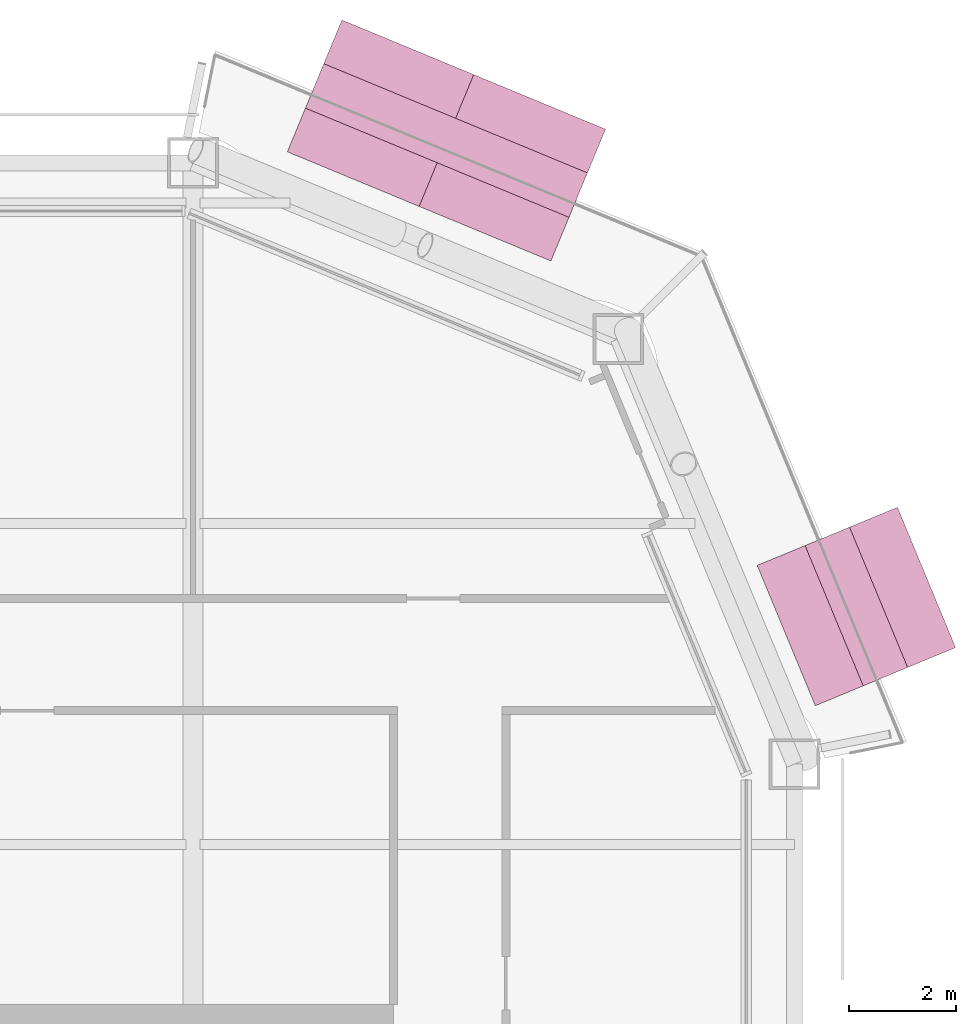
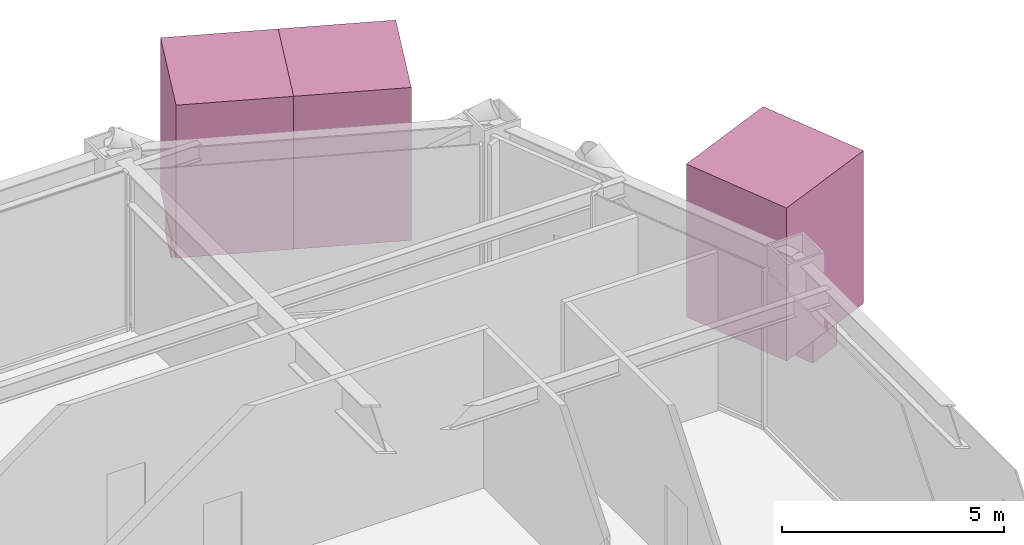
# One storey, part 23 of 23: 5 furnishings.
"""IFC4 building model written with IfcOpenShell, lengths in metres."""

from ifc_helpers import new_model, si_unit, direction, frame, origin, origin_2d, place, context, subcontext, project, spatial, rectangle, extrude, material, type_object, element, save


model = new_model("IFC4")

# Units and contexts
model_context = context("Model", 3, precision=1e-05, world=origin(), true_north=direction((0.0, 1.0)))
body_context = subcontext(model_context, "Body", "Model", "MODEL_VIEW")
ifc_project = project(units=[si_unit("LENGTHUNIT", "METRE"), si_unit("AREAUNIT", "SQUARE_METRE"), si_unit("VOLUMEUNIT", "CUBIC_METRE"), si_unit("PLANEANGLEUNIT", "RADIAN"), si_unit("MASSUNIT", "GRAM", prefix="KILO")], contexts=[model_context])

# Site, building, storey
site_placement = place(None, origin())
site = spatial("IfcSite", under=ifc_project, at=site_placement, CompositionType="ELEMENT")
building_placement = place(site_placement, origin())
building = spatial("IfcBuilding", under=site, at=building_placement, Name="Siwar Civic Tower", CompositionType="ELEMENT")
storey_placement = place(building_placement, frame((0.0, 0.0, 131.699951171875)))
storey = spatial("IfcBuildingStorey", under=building, at=storey_placement, Name="L28", CompositionType="ELEMENT", Elevation=131.699951171875)

# Furnishings
ifc_material_1 = material(Name="Planting soil and foliage")
furnishing_element_type_1 = type_object("IfcFurnishingElementType", Name="ENV-PLANTER", material=ifc_material_1)
furnishing_1_placement = place(storey_placement, frame((30.409423828125, 20.949951171875, 0.0), z_axis=(0.0, 0.0, 1.0), x_axis=(-0.382683432365, 0.923879532511, 0.0)))
element("IfcFurnishingElement", 1, at=furnishing_1_placement, inside=storey, type_object=furnishing_element_type_1, Name="PLANTER NE 1", context=body_context, shape_type="SweptSolid", body=[
    extrude(rectangle(XDim=2.84130859375, YDim=0.89990234375, at=origin_2d()), origin(), (0.0, 0.0, 1.0), 0.60009765625),
])
furnishing_2_placement = place(storey_placement, frame((22.73974609375, 29.66796875, 0.0), z_axis=(0.0, 0.0, 1.0), x_axis=(-0.923879532511, 0.382683432365, 0.0)))
element("IfcFurnishingElement", 2, at=furnishing_2_placement, inside=storey, type_object=furnishing_element_type_1, Name="PLANTER NE 2", context=body_context, shape_type="SweptSolid", body=[
    extrude(rectangle(XDim=5.33837890625, YDim=0.89990234375, at=origin_2d()), origin(), (0.0, 0.0, 1.0), 0.60009765625),
])
ifc_material_2 = material(Name="Planting soil and foliage")
furnishing_element_type_2 = type_object("IfcFurnishingElementType", Name="ENV-TREE", material=ifc_material_2)
furnishing_3_placement = place(storey_placement, frame((30.409423828125, 20.949951171875, 0.60009765625), z_axis=(0.0, 0.0, 1.0), x_axis=(-0.382683432365, 0.923879532511, 0.0)))
element("IfcFurnishingElement", 3, at=furnishing_3_placement, inside=storey, type_object=furnishing_element_type_2, Name="PLANTER (TREE) NE 1.1", context=body_context, shape_type="SweptSolid", body=[
    extrude(rectangle(XDim=2.84130859375, YDim=2.84130859375, at=origin_2d()), origin(), (0.0, 0.0, 1.0), 4.199951171875),
])
for number, where, z_axis, x_axis, name in (
    (4, (23.972900390625, 29.1572265625, 0.60009765625), (0.0, 0.0, 1.0), (-0.923879532511, 0.382683432365, 0.0), "PLANTER (TREE) NE 2.1"),
    (5, (21.5068359375, 30.1787109375, 0.60009765625), (0.0, 0.0, 1.0), (-0.923879532511, 0.382683432365, 0.0), "PLANTER (TREE) NE 2.2"),
):
    element("IfcFurnishingElement", number, at=place(storey_placement, frame(where, z_axis=z_axis, x_axis=x_axis)), inside=storey, type_object=furnishing_element_type_2, Name=name, context=body_context, shape_type="SweptSolid", body=[
        extrude(rectangle(XDim=2.669189453125, YDim=2.669189453125, at=origin_2d()), origin(), (0.0, 0.0, 1.0), 4.199951171875),
    ])

save(model, "model.ifc")
